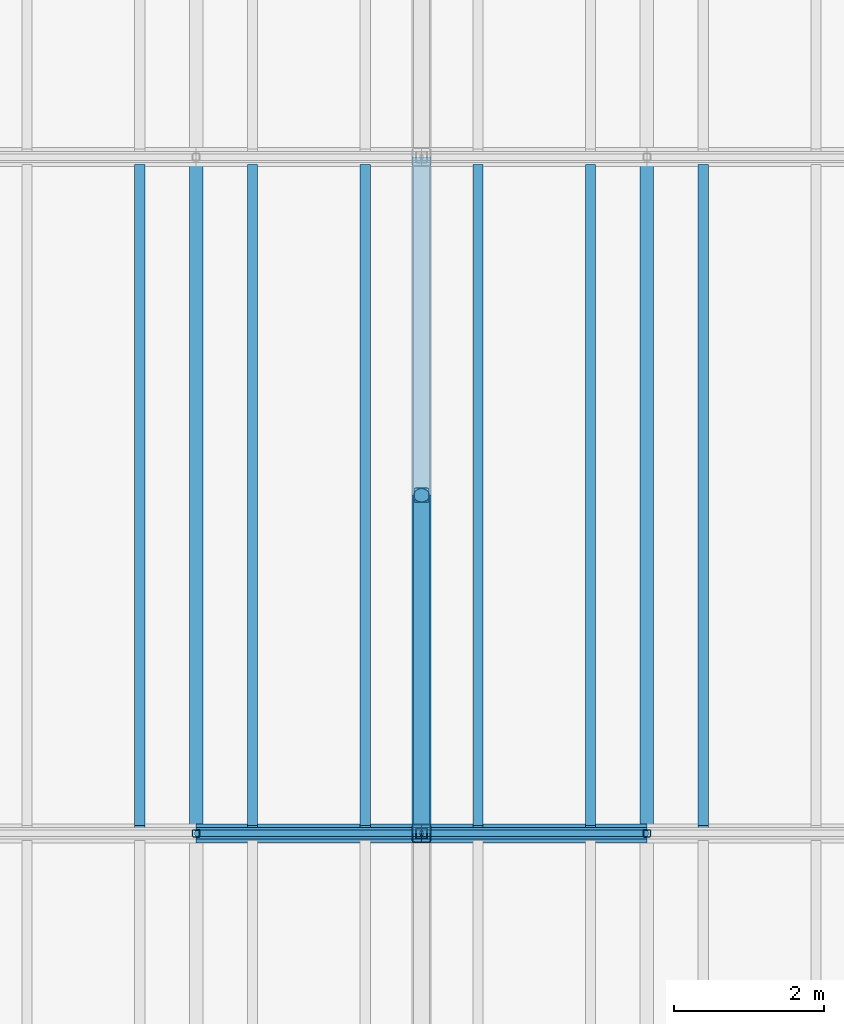
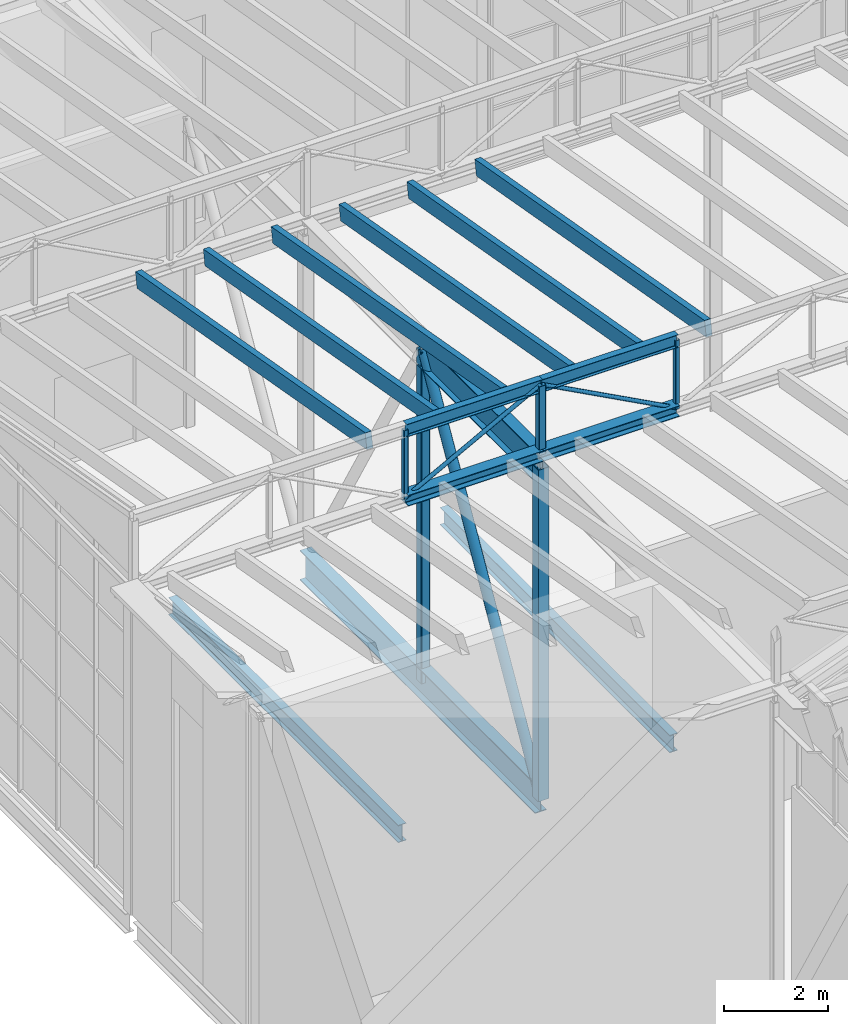
# One storey, part 28 of 90: 20 members, 2 beams.
"""IFC4 building model written with IfcOpenShell, lengths in metres."""

from ifc_helpers import new_model, si_unit, direction, frame, origin, origin_2d, place, context, subcontext, project, spatial, rectangle, hollow_rectangle, hollow_circle, i_section, extrude, material, material_profile, profile_set, type_object, element, save


model = new_model("IFC4")

# Units and contexts
model_context = context("Model", 3, precision=1e-05, world=origin(), true_north=direction((0.0, 1.0)))
body_context = subcontext(model_context, "Body", "Model", "MODEL_VIEW")
ifc_project = project(units=[si_unit("LENGTHUNIT", "METRE"), si_unit("AREAUNIT", "SQUARE_METRE"), si_unit("VOLUMEUNIT", "CUBIC_METRE"), si_unit("PLANEANGLEUNIT", "RADIAN"), si_unit("MASSUNIT", "GRAM", prefix="KILO")], contexts=[model_context])

# Site, building, storey
site_placement = place(None, origin())
site = spatial("IfcSite", under=ifc_project, at=site_placement, CompositionType="ELEMENT")
building_placement = place(site_placement, origin())
building = spatial("IfcBuilding", under=site, at=building_placement, Name="Halyard Row Museum", CompositionType="ELEMENT")
storey_placement = place(building_placement, frame((0.0, 0.0, 13.39990234375)))
storey = spatial("IfcBuildingStorey", under=building, at=storey_placement, Name="L03", CompositionType="ELEMENT", Elevation=13.39990234375)

# Members
ifc_material_1 = material(Name="Glulam GL12 radiata pine", Category="wood")
ifc_material_profile_1 = material_profile(ifc_material_1, rectangle(XDim=0.135009765625, YDim=0.360107421875, at=origin_2d()), Name="GL12 135x360")
ifc_profile_set_1 = profile_set([ifc_material_profile_1], Name="Glulam GL12 radiata pine")
member_type_1 = type_object("IfcMemberType", Name="Rafter GL12 135x360", PredefinedType="RAFTER", material=ifc_profile_set_1)
for number, where, z_axis, x_axis, name in (
    (1, (32.25, 27.074462890625, 9.083984375), (0.0, 0.984562193919, -0.175035100209), (-1.0, 0.0, 0.0), "Rafter V1-T2a.4"),
    (2, (33.75, 27.074462890625, 9.083984375), (0.0, 0.984562193919, -0.175035100209), (-1.0, 0.0, 0.0), "Rafter V1-T2a.5"),
    (3, (35.25, 27.074462890625, 9.083984375), (0.0, 0.984562193919, -0.175035100209), (-1.0, 0.0, 0.0), "Rafter V1-T2a.6"),
    (4, (36.75, 27.074462890625, 9.083984375), (0.0, 0.984562193919, -0.175035100209), (-1.0, 0.0, 0.0), "Rafter V1-T2a.7"),
    (5, (38.25, 27.074462890625, 9.083984375), (0.0, 0.984562193919, -0.175035100209), (-1.0, 0.0, 0.0), "Rafter V1-T2a.8"),
    (6, (39.75, 27.074462890625, 9.083984375), (0.0, 0.984562193919, -0.175035100209), (-1.0, 0.0, 0.0), "Rafter V1-T2a.9"),
):
    element("IfcMember", number, at=place(storey_placement, frame(where, z_axis=z_axis, x_axis=x_axis)), inside=storey, type_object=member_type_1, Name=name, PredefinedType="RAFTER", context=body_context, shape_type="SweptSolid", body=[
        extrude(rectangle(XDim=0.135009765625, YDim=0.360107421875, at=origin_2d()), origin(), (0.0, 0.0, 1.0), 8.9365234375),
    ])

# Beams
ifc_material_2 = material(Name="Steel Grade 300", Category="steel")
ifc_material_profile_2 = material_profile(ifc_material_2, i_section(OverallWidth=0.177978515625, OverallDepth=0.406494140625, WebThickness=0.0078125, FlangeThickness=0.0126953125, FilletRadius=0.011474609375, at=origin_2d()), Name="410UB59.7")
ifc_profile_set_2 = profile_set([ifc_material_profile_2], Name="Steel Grade 300")
beam_type = type_object("IfcBeamType", Name="Secondary beam 410UB59.7", PredefinedType="BEAM", material=ifc_profile_set_2)
for number, where, z_axis, x_axis, name in (
    (7, (33.0, 27.1044921875, -0.3681640625), (0.0, 1.0, 0.0), (-1.0, 0.0, 0.0), "Beam L03-100"),
    (8, (39.0, 27.1044921875, -0.3681640625), (0.0, 1.0, 0.0), (-1.0, 0.0, 0.0), "Beam L03-101"),
):
    element("IfcBeam", number, at=place(storey_placement, frame(where, z_axis=z_axis, x_axis=x_axis)), inside=storey, type_object=beam_type, Name=name, PredefinedType="BEAM", context=body_context, shape_type="SweptSolid", body=[
        extrude(i_section(OverallWidth=0.177978515625, OverallDepth=0.406494140625, WebThickness=0.0078125, FlangeThickness=0.0126953125, FilletRadius=0.011474609375, at=origin_2d()), origin(), (0.0, 0.0, 1.0), 8.791015625),
    ])

# Members
ifc_material_3 = material(Name="Steel Grade 300", Category="steel")
ifc_material_profile_3 = material_profile(ifc_material_3, i_section(OverallWidth=0.25, OverallDepth=0.699951171875, WebThickness=0.010009765625, FlangeThickness=0.02001953125, at=origin_2d()), Name="700WB130")
ifc_profile_set_3 = profile_set([ifc_material_profile_3], Name="Steel Grade 300")
member_type_2 = type_object("IfcMemberType", Name="Transfer truss chord 700WB130 bottom", PredefinedType="CHORD", material=ifc_profile_set_3)
member_1_placement = place(storey_placement, frame((36.0, 27.0, -0.514892578125), z_axis=(0.0, 1.0, 0.0), x_axis=(-1.0, 0.0, 0.0)))
element("IfcMember", 9, at=member_1_placement, inside=storey, type_object=member_type_2, Name="TT1 bottom chord 7", PredefinedType="CHORD", context=body_context, shape_type="SweptSolid", body=[
    extrude(i_section(OverallWidth=0.25, OverallDepth=0.699951171875, WebThickness=0.010009765625, FlangeThickness=0.02001953125, at=origin_2d()), origin(), (0.0, 0.0, 1.0), 9.0),
])
ifc_material_4 = material(Name="Steel Grade 300", Category="steel")
ifc_material_profile_4 = material_profile(ifc_material_4, i_section(OverallWidth=0.25, OverallDepth=0.699951171875, WebThickness=0.010009765625, FlangeThickness=0.02001953125, at=origin_2d()), Name="700WB130")
ifc_profile_set_4 = profile_set([ifc_material_profile_4], Name="Steel Grade 300")
member_type_3 = type_object("IfcMemberType", Name="Transfer truss chord 700WB130 top", PredefinedType="CHORD", material=ifc_profile_set_4)
member_2_placement = place(storey_placement, frame((36.0, 27.0, 7.22998046875), z_axis=(0.0, 1.0, 0.0), x_axis=(-1.0, 0.0, 0.0)))
element("IfcMember", 10, at=member_2_placement, inside=storey, type_object=member_type_3, Name="TT1 top chord 7", PredefinedType="CHORD", context=body_context, shape_type="SweptSolid", body=[
    extrude(i_section(OverallWidth=0.25, OverallDepth=0.699951171875, WebThickness=0.010009765625, FlangeThickness=0.02001953125, at=origin_2d()), origin(), (0.0, 0.0, 1.0), 4.5),
])
ifc_material_5 = material(Name="Steel Grade C350L0", Category="steel")
ifc_material_profile_5 = material_profile(ifc_material_5, hollow_circle(Radius=0.109619140625, WallThickness=0.00830078125, at=origin_2d()), Name="219.1x8.2CHS")
ifc_profile_set_5 = profile_set([ifc_material_profile_5], Name="Steel Grade C350L0")
member_type_4 = type_object("IfcMemberType", Name="Transfer truss diagonal 219.1x8.2CHS", PredefinedType="BRACE", material=ifc_profile_set_5)
member_3_placement = place(storey_placement, frame((36.0, 27.0, -0.514892578125), z_axis=(0.0, 0.502384046634, 0.864644591545), x_axis=(-1.0, 0.0, 0.0)))
element("IfcMember", 11, at=member_3_placement, inside=storey, type_object=member_type_4, Name="TT1 diagonal 7", PredefinedType="BRACE", context=body_context, shape_type="SweptSolid", body=[
    extrude(hollow_circle(Radius=0.109619140625, WallThickness=0.00830078125, at=origin_2d()), origin(), (0.0, 0.0, 1.0), 8.957275390625),
])
ifc_material_6 = material(Name="Steel Grade C350L0", Category="steel")
ifc_material_profile_6 = material_profile(ifc_material_6, hollow_rectangle(XDim=0.199951171875, YDim=0.199951171875, WallThickness=0.009033203125, InnerFilletRadius=0.013427734375, OuterFilletRadius=0.0224609375, at=origin_2d()), Name="200x200x9.0SHS")
ifc_profile_set_6 = profile_set([ifc_material_profile_6], Name="Steel Grade C350L0")
member_type_5 = type_object("IfcMemberType", Name="Transfer truss post 200x200x9.0SHS", PredefinedType="POST", material=ifc_profile_set_6)
member_4_placement = place(storey_placement, frame((36.0, 31.5, -0.514892578125), z_axis=(0.0, 0.0, 1.0), x_axis=(1.0, 0.0, 0.0)))
element("IfcMember", 12, at=member_4_placement, inside=storey, type_object=member_type_5, Name="TT1 post 8", PredefinedType="POST", context=body_context, shape_type="SweptSolid", body=[
    extrude(hollow_rectangle(XDim=0.199951171875, YDim=0.199951171875, WallThickness=0.009033203125, InnerFilletRadius=0.013427734375, OuterFilletRadius=0.0224609375, at=origin_2d()), origin(), (0.0, 0.0, 1.0), 7.744873046875),
])
ifc_material_7 = material(Name="Steel Grade C350L0", Category="steel")
ifc_material_profile_7 = material_profile(ifc_material_7, hollow_rectangle(XDim=0.25, YDim=0.25, WallThickness=0.012451171875, InnerFilletRadius=0.018798828125, OuterFilletRadius=0.03125, at=origin_2d()), Name="250x250x12.5SHS")
ifc_profile_set_7 = profile_set([ifc_material_profile_7], Name="Steel Grade C350L0")
member_type_6 = type_object("IfcMemberType", Name="Transfer truss post 250x250x12.5SHS", PredefinedType="POST", material=ifc_profile_set_7)
member_5_placement = place(storey_placement, frame((36.0, 27.0, -0.514892578125), z_axis=(0.0, 0.0, 1.0), x_axis=(1.0, 0.0, 0.0)))
element("IfcMember", 13, at=member_5_placement, inside=storey, type_object=member_type_6, Name="TT1 post 7", PredefinedType="POST", context=body_context, shape_type="SweptSolid", body=[
    extrude(hollow_rectangle(XDim=0.25, YDim=0.25, WallThickness=0.012451171875, InnerFilletRadius=0.018798828125, OuterFilletRadius=0.03125, at=origin_2d()), origin(), (0.0, 0.0, 1.0), 7.744873046875),
])
ifc_material_8 = material(Name="Steel Grade 300", Category="steel")
ifc_material_profile_8 = material_profile(ifc_material_8, i_section(OverallWidth=0.25390625, OverallDepth=0.25390625, WebThickness=0.008544921875, FlangeThickness=0.01416015625, FilletRadius=0.013916015625, at=origin_2d()), Name="250UC72.9")
ifc_profile_set_8 = profile_set([ifc_material_profile_8], Name="Steel Grade 300")
member_type_7 = type_object("IfcMemberType", Name="Valley truss bottom chord 250UC72.9", PredefinedType="CHORD", material=ifc_profile_set_8)
for number, where, z_axis, x_axis, name in (
    (14, (33.0, 27.0, 7.527099609375), (1.0, 0.0, 0.0), (0.0, 1.0, 0.0), "V1-VT2 bottom chord 1.3"),
    (15, (36.0, 27.0, 7.527099609375), (1.0, 0.0, 0.0), (0.0, 1.0, 0.0), "V1-VT2 bottom chord 2.1"),
):
    element("IfcMember", number, at=place(storey_placement, frame(where, z_axis=z_axis, x_axis=x_axis)), inside=storey, type_object=member_type_7, Name=name, PredefinedType="CHORD", context=body_context, shape_type="SweptSolid", body=[
        extrude(i_section(OverallWidth=0.25390625, OverallDepth=0.25390625, WebThickness=0.008544921875, FlangeThickness=0.01416015625, FilletRadius=0.013916015625, at=origin_2d()), origin(), (0.0, 0.0, 1.0), 3.0),
    ])
ifc_material_9 = material(Name="Steel Grade C250L0", Category="steel")
ifc_material_profile_9 = material_profile(ifc_material_9, hollow_circle(Radius=0.04443359375, WallThickness=0.0048828125, at=origin_2d()), Name="88.9x5.0CHS")
ifc_profile_set_9 = profile_set([ifc_material_profile_9], Name="Steel Grade C250L0")
member_type_8 = type_object("IfcMemberType", Name="Valley truss diagonal 88.9x5.0CHS", PredefinedType="BRACE", material=ifc_profile_set_9)
for number, where, z_axis, x_axis, name in (
    (16, (33.0, 27.0, 7.527099609375), (0.881863759518, 0.0, 0.471504305016), (0.0, 1.0, 0.0), "V1-VT2 diagonal 1.3"),
    (17, (36.0, 27.0, 9.131103515625), (0.881863759518, 0.0, -0.471504305016), (0.0, 1.0, 0.0), "V1-VT2 diagonal 2.1"),
):
    element("IfcMember", number, at=place(storey_placement, frame(where, z_axis=z_axis, x_axis=x_axis)), inside=storey, type_object=member_type_8, Name=name, PredefinedType="BRACE", context=body_context, shape_type="SweptSolid", body=[
        extrude(hollow_circle(Radius=0.04443359375, WallThickness=0.0048828125, at=origin_2d()), origin(), (0.0, 0.0, 1.0), 3.40185546875),
    ])
ifc_material_10 = material(Name="Steel Grade C350L0", Category="steel")
ifc_material_profile_10 = material_profile(ifc_material_10, hollow_rectangle(XDim=0.10009765625, YDim=0.10009765625, WallThickness=0.006103515625, InnerFilletRadius=0.009033203125, OuterFilletRadius=0.014892578125, at=origin_2d()), Name="100x100x6.0SHS")
ifc_profile_set_10 = profile_set([ifc_material_profile_10], Name="Steel Grade C350L0")
member_type_9 = type_object("IfcMemberType", Name="Valley truss post 100x100x6.0SHS", PredefinedType="POST", material=ifc_profile_set_10)
for number, where, z_axis, x_axis, name in (
    (18, (33.0, 27.0, 7.527099609375), (0.0, 0.0, 1.0), (1.0, 0.0, 0.0), "V1-VT2 post 1.2"),
    (19, (39.0, 27.0, 7.527099609375), (0.0, 0.0, 1.0), (1.0, 0.0, 0.0), "V1-VT2 post 2.1"),
):
    element("IfcMember", number, at=place(storey_placement, frame(where, z_axis=z_axis, x_axis=x_axis)), inside=storey, type_object=member_type_9, Name=name, PredefinedType="POST", context=body_context, shape_type="SweptSolid", body=[
        extrude(hollow_rectangle(XDim=0.10009765625, YDim=0.10009765625, WallThickness=0.006103515625, InnerFilletRadius=0.009033203125, OuterFilletRadius=0.014892578125, at=origin_2d()), origin(), (0.0, 0.0, 1.0), 1.60400390625),
    ])
ifc_material_11 = material(Name="Steel Grade C350L0", Category="steel")
ifc_material_profile_11 = material_profile(ifc_material_11, hollow_rectangle(XDim=0.14990234375, YDim=0.14990234375, WallThickness=0.006103515625, InnerFilletRadius=0.009033203125, OuterFilletRadius=0.014892578125, at=origin_2d()), Name="150x150x6.0SHS")
ifc_profile_set_11 = profile_set([ifc_material_profile_11], Name="Steel Grade C350L0")
member_type_10 = type_object("IfcMemberType", Name="Valley truss post 150x150x6.0SHS", PredefinedType="POST", material=ifc_profile_set_11)
member_6_placement = place(storey_placement, frame((36.0, 27.0, 7.527099609375), z_axis=(0.0, 0.0, 1.0), x_axis=(1.0, 0.0, 0.0)))
element("IfcMember", 20, at=member_6_placement, inside=storey, type_object=member_type_10, Name="V1-VT2 post 1.3", PredefinedType="POST", context=body_context, shape_type="SweptSolid", body=[
    extrude(hollow_rectangle(XDim=0.14990234375, YDim=0.14990234375, WallThickness=0.006103515625, InnerFilletRadius=0.009033203125, OuterFilletRadius=0.014892578125, at=origin_2d()), origin(), (0.0, 0.0, 1.0), 1.60400390625),
])
ifc_material_12 = material(Name="Steel Grade 300", Category="steel")
ifc_material_profile_12 = material_profile(ifc_material_12, i_section(OverallWidth=0.14892578125, OverallDepth=0.298095703125, WebThickness=0.005615234375, FlangeThickness=0.008056640625, FilletRadius=0.012939453125, at=origin_2d()), Name="310UB32.0")
ifc_profile_set_12 = profile_set([ifc_material_profile_12], Name="Steel Grade 300")
member_type_11 = type_object("IfcMemberType", Name="Valley truss top chord 310UB32.0", PredefinedType="CHORD", material=ifc_profile_set_12)
for number, where, z_axis, x_axis, name in (
    (21, (33.0, 27.0, 9.131103515625), (1.0, 0.0, 0.0), (0.0, 1.0, 0.0), "V1-VT2 top chord 1.3"),
    (22, (36.0, 27.0, 9.131103515625), (1.0, 0.0, 0.0), (0.0, 1.0, 0.0), "V1-VT2 top chord 2.1"),
):
    element("IfcMember", number, at=place(storey_placement, frame(where, z_axis=z_axis, x_axis=x_axis)), inside=storey, type_object=member_type_11, Name=name, PredefinedType="CHORD", context=body_context, shape_type="SweptSolid", body=[
        extrude(i_section(OverallWidth=0.14892578125, OverallDepth=0.298095703125, WebThickness=0.005615234375, FlangeThickness=0.008056640625, FilletRadius=0.012939453125, at=origin_2d()), origin(), (0.0, 0.0, 1.0), 3.0),
    ])

save(model, "model.ifc")
